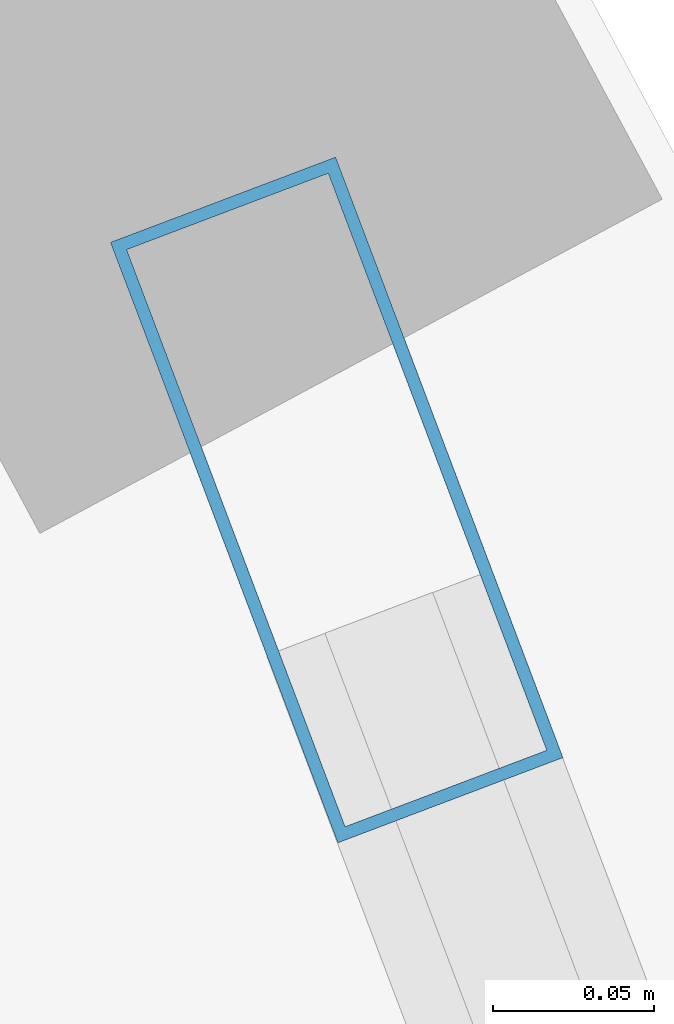
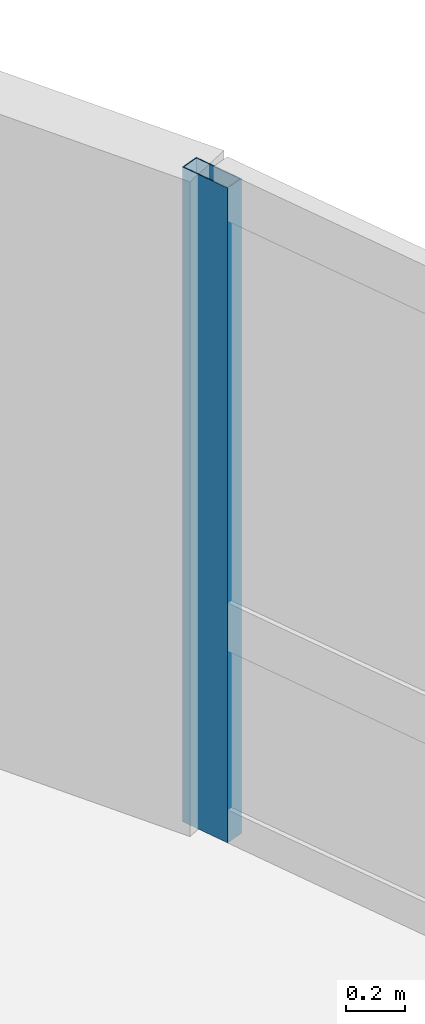
# One storey, part 10 of 19: 1 member, 1 element without a shape of its own.
"""IFC4 building model written with IfcOpenShell, lengths in metres."""

from ifc_helpers import new_model, si_unit, direction, frame, origin, origin_2d, place, context, subcontext, project, spatial, hollow_rectangle, extrude, material, layer, layer_set, material_profile, profile_set, type_object, element, aggregate, save


model = new_model("IFC4")

# Units and contexts
model_context = context("Model", 3, precision=1e-05, world=origin(), true_north=direction((0.0, 1.0)))
body_context = subcontext(model_context, "Body", "Model", "MODEL_VIEW")
ifc_project = project(units=[si_unit("LENGTHUNIT", "METRE"), si_unit("AREAUNIT", "SQUARE_METRE"), si_unit("VOLUMEUNIT", "CUBIC_METRE"), si_unit("PLANEANGLEUNIT", "RADIAN"), si_unit("MASSUNIT", "GRAM", prefix="KILO")], contexts=[model_context])

# Site, building, storey
site_placement = place(None, origin())
site = spatial("IfcSite", under=ifc_project, at=site_placement, CompositionType="ELEMENT")
building_placement = place(site_placement, origin())
building = spatial("IfcBuilding", under=site, at=building_placement, Name="Varnelok Gate Tower", CompositionType="ELEMENT")
storey_placement = place(building_placement, frame((0.0, 0.0, 231.199951171875)))
storey = spatial("IfcBuildingStorey", under=building, at=storey_placement, Name="L59", CompositionType="ELEMENT", Elevation=231.199951171875)

# Curtain wall, member
ifc_material = material(Name="Anodized Aluminum Alloy 6063-T6", Category="aluminium")
ifc_layer = layer(ifc_material, 0.179931640625)
ifc_layer_set = layer_set([ifc_layer], Name="Anodized Aluminum Alloy 6063-T6")
curtain_wall_type = type_object("IfcCurtainWallType", Name="CW4-RESIDENCE-VISION", PredefinedType="USERDEFINED", material=ifc_layer_set)
curtain_wall_placement = place(storey_placement, origin())
curtain_wall = element("IfcCurtainWall", 1, at=curtain_wall_placement, inside=storey, type_object=curtain_wall_type, Name="L59 East End Vision Curtain Wall", ObjectType="UNITISED CURTAIN WALL", PredefinedType="USERDEFINED")
ifc_material_profile = material_profile(ifc_material, hollow_rectangle(XDim=0.074951171875, YDim=0.199951171875, WallThickness=0.00390625, at=origin_2d()), Name="ALU200X75X4")
ifc_profile_set = profile_set([ifc_material_profile], Name="Anodized Aluminum Alloy 6063-T6")
member_type = type_object("IfcMemberType", Name="CW-MULL-200", PredefinedType="MULLION", material=ifc_profile_set)
member_placement = place(storey_placement, frame((64.514892578125, 51.5244140625, 0.0), z_axis=(0.0, 0.0, 1.0), x_axis=(0.935221557832, 0.354063042079, 0.0)))
member = element("IfcMember", 2, at=member_placement, type_object=member_type, Name="CW4 mullion 1", PredefinedType="MULLION", context=body_context, shape_type="SweptSolid", body=[
    extrude(hollow_rectangle(XDim=0.074951171875, YDim=0.199951171875, WallThickness=0.00390625, at=origin_2d()), origin(), (0.0, 0.0, 1.0), 2.72998046875),
])
aggregate(curtain_wall, [member])

save(model, "model.ifc")
